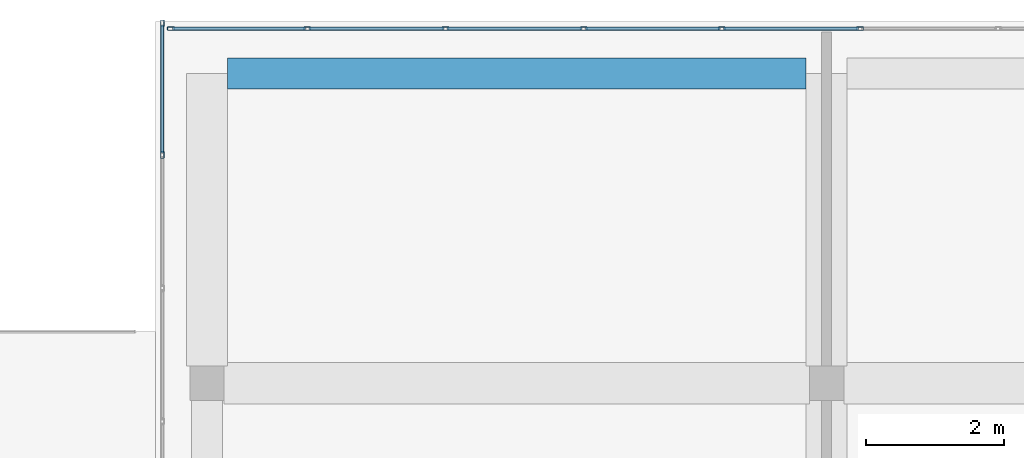
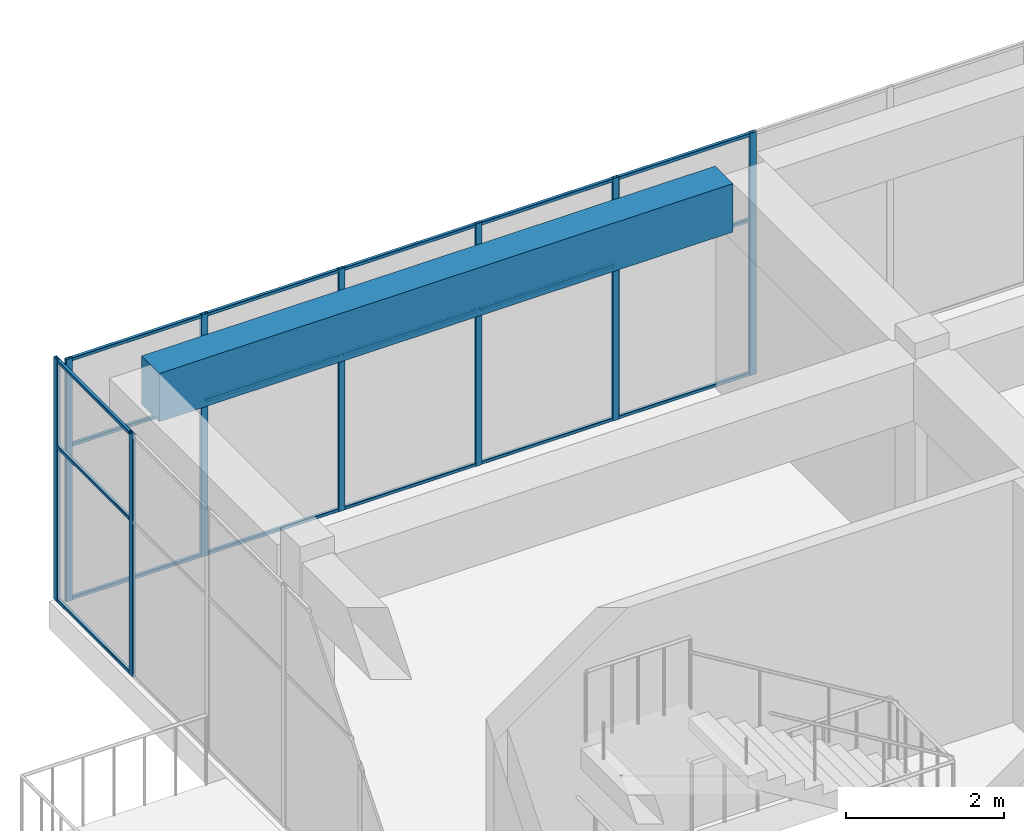
# One storey, part 21 of 34: 26 members, 1 beam, 2 elements without a shape of their own.
"""IFC4 building model written with IfcOpenShell, lengths in metres."""

from ifc_helpers import new_model, si_unit, direction, frame, origin, origin_2d, place, context, subcontext, project, spatial, rectangle, hollow_rectangle, extrude, material, layer, layer_set, material_profile, profile_set, type_object, element, aggregate, save


model = new_model("IFC4")

# Units and contexts
model_context = context("Model", 3, precision=1e-05, world=origin(), true_north=direction((0.0, 1.0)))
body_context = subcontext(model_context, "Body", "Model", "MODEL_VIEW")
ifc_project = project(units=[si_unit("LENGTHUNIT", "METRE"), si_unit("AREAUNIT", "SQUARE_METRE"), si_unit("VOLUMEUNIT", "CUBIC_METRE"), si_unit("PLANEANGLEUNIT", "RADIAN"), si_unit("MASSUNIT", "GRAM", prefix="KILO")], contexts=[model_context])

# Site, building, storey
site_placement = place(None, origin())
site = spatial("IfcSite", under=ifc_project, at=site_placement, CompositionType="ELEMENT")
building_placement = place(site_placement, origin())
building = spatial("IfcBuilding", under=site, at=building_placement, Name="Tuart Plaza Theatre", CompositionType="ELEMENT")
storey_placement = place(building_placement, frame((0.0, 0.0, 53.5)))
storey = spatial("IfcBuildingStorey", under=building, at=storey_placement, Name="L13", CompositionType="ELEMENT", Elevation=53.5)

# Beam
ifc_material_1 = material(Name="Concrete N40 (40 MPa)", Category="concrete")
ifc_material_profile_1 = material_profile(ifc_material_1, rectangle(XDim=0.449951171875, YDim=0.75, at=origin_2d()), Name="BEAM 450x750 Concrete N40 (40 MPa)")
ifc_profile_set_1 = profile_set([ifc_material_profile_1], Name="Concrete N40 (40 MPa)")
beam_type = type_object("IfcBeamType", Name="BEAM 450x750 Concrete N40 (40 MPa)", PredefinedType="BEAM", material=ifc_profile_set_1)
beam_placement = place(storey_placement, frame((114.300048828125, 96.5, 3.375), z_axis=(1.0, 0.0, 0.0), x_axis=(0.0, 1.0, 0.0)))
element("IfcBeam", 1, at=beam_placement, inside=storey, type_object=beam_type, Name="RB326", PredefinedType="BEAM", context=body_context, shape_type="SweptSolid", body=[
    extrude(rectangle(XDim=0.449951171875, YDim=0.75, at=origin_2d()), origin(), (0.0, 0.0, 1.0), 8.39990234375),
])

# Curtain wall, members
ifc_material_2 = material(Name="Aluminium and glass", Category="aluminium")
ifc_layer = layer(ifc_material_2, 0.10009765625)
ifc_layer_set = layer_set([ifc_layer], Name="CURTAIN WALL 2000 module")
curtain_wall_type = type_object("IfcCurtainWallType", Name="CURTAIN WALL 2000 module", PredefinedType="NOTDEFINED", material=ifc_layer_set)
curtain_wall_1_placement = place(storey_placement, origin())
curtain_wall_1 = element("IfcCurtainWall", 2, at=curtain_wall_1_placement, inside=storey, type_object=curtain_wall_type, Name="CW117", PredefinedType="NOTDEFINED")
ifc_material_3 = material(Name="Aluminium 6063-T5", Category="aluminium")
ifc_material_profile_2 = material_profile(ifc_material_3, hollow_rectangle(XDim=0.050048828125, YDim=0.10009765625, WallThickness=0.00390625, InnerFilletRadius=0.00390625, OuterFilletRadius=0.008056640625, at=origin_2d()), Name="RHS 100x50x4")
ifc_profile_set_2 = profile_set([ifc_material_profile_2], Name="Aluminium 6063-T5")
member_type_1 = type_object("IfcMemberType", Name="MULLION RHS 100x50x4", PredefinedType="MULLION", material=ifc_profile_set_2)
member_1_placement = place(storey_placement, frame((123.485595703125, 97.14990234375, 0.0), z_axis=(0.0, 0.0, 1.0), x_axis=(0.0, -1.0, 0.0)))
member_1 = element("IfcMember", 3, at=member_1_placement, type_object=member_type_1, Name="CW117 mullion 10", PredefinedType="MULLION", context=body_context, shape_type="SweptSolid", body=[
    extrude(hollow_rectangle(XDim=0.050048828125, YDim=0.10009765625, WallThickness=0.00390625, InnerFilletRadius=0.00390625, OuterFilletRadius=0.008056640625, at=origin_2d()), origin(), (0.0, 0.0, 1.0), 3.75),
])
member_2_placement = place(storey_placement, frame((121.478515625, 97.14990234375, 0.0), z_axis=(0.0, 0.0, 1.0), x_axis=(0.0, -1.0, 0.0)))
member_2 = element("IfcMember", 4, at=member_2_placement, type_object=member_type_1, Name="CW117 mullion 11", PredefinedType="MULLION", context=body_context, shape_type="SweptSolid", body=[
    extrude(hollow_rectangle(XDim=0.050048828125, YDim=0.10009765625, WallThickness=0.00390625, InnerFilletRadius=0.00390625, OuterFilletRadius=0.008056640625, at=origin_2d()), origin(), (0.0, 0.0, 1.0), 3.75),
])
member_3_placement = place(storey_placement, frame((119.471435546875, 97.14990234375, 0.0), z_axis=(0.0, 0.0, 1.0), x_axis=(0.0, -1.0, 0.0)))
member_3 = element("IfcMember", 5, at=member_3_placement, type_object=member_type_1, Name="CW117 mullion 12", PredefinedType="MULLION", context=body_context, shape_type="SweptSolid", body=[
    extrude(hollow_rectangle(XDim=0.050048828125, YDim=0.10009765625, WallThickness=0.00390625, InnerFilletRadius=0.00390625, OuterFilletRadius=0.008056640625, at=origin_2d()), origin(), (0.0, 0.0, 1.0), 3.75),
])
member_4_placement = place(storey_placement, frame((117.46435546875, 97.14990234375, 0.0), z_axis=(0.0, 0.0, 1.0), x_axis=(0.0, -1.0, 0.0)))
member_4 = element("IfcMember", 6, at=member_4_placement, type_object=member_type_1, Name="CW117 mullion 13", PredefinedType="MULLION", context=body_context, shape_type="SweptSolid", body=[
    extrude(hollow_rectangle(XDim=0.050048828125, YDim=0.10009765625, WallThickness=0.00390625, InnerFilletRadius=0.00390625, OuterFilletRadius=0.008056640625, at=origin_2d()), origin(), (0.0, 0.0, 1.0), 3.75),
])
member_5_placement = place(storey_placement, frame((115.45703125, 97.14990234375, 0.0), z_axis=(0.0, 0.0, 1.0), x_axis=(0.0, -1.0, 0.0)))
member_5 = element("IfcMember", 7, at=member_5_placement, type_object=member_type_1, Name="CW117 mullion 14", PredefinedType="MULLION", context=body_context, shape_type="SweptSolid", body=[
    extrude(hollow_rectangle(XDim=0.050048828125, YDim=0.10009765625, WallThickness=0.00390625, InnerFilletRadius=0.00390625, OuterFilletRadius=0.008056640625, at=origin_2d()), origin(), (0.0, 0.0, 1.0), 3.75),
])
member_6_placement = place(storey_placement, frame((113.47509765625, 97.14990234375, 0.0), z_axis=(0.0, 0.0, 1.0), x_axis=(0.0, -1.0, 0.0)))
member_6 = element("IfcMember", 8, at=member_6_placement, type_object=member_type_1, Name="CW117 mullion 15", PredefinedType="MULLION", context=body_context, shape_type="SweptSolid", body=[
    extrude(hollow_rectangle(XDim=0.050048828125, YDim=0.10009765625, WallThickness=0.00390625, InnerFilletRadius=0.00390625, OuterFilletRadius=0.008056640625, at=origin_2d()), origin(), (0.0, 0.0, 1.0), 3.75),
])

curtain_wall_2_placement = place(storey_placement, origin())
curtain_wall_2 = element("IfcCurtainWall", 9, at=curtain_wall_2_placement, inside=storey, type_object=curtain_wall_type, Name="CW118", PredefinedType="NOTDEFINED")
member_7_placement = place(storey_placement, frame((113.35009765625, 97.22509765625, 0.0), z_axis=(0.0, 0.0, 1.0), x_axis=(1.0, 0.0, 0.0)))
member_7 = element("IfcMember", 10, at=member_7_placement, type_object=member_type_1, Name="CW118 mullion 1", PredefinedType="MULLION", context=body_context, shape_type="SweptSolid", body=[
    extrude(hollow_rectangle(XDim=0.050048828125, YDim=0.10009765625, WallThickness=0.00390625, InnerFilletRadius=0.00390625, OuterFilletRadius=0.008056640625, at=origin_2d()), origin(), (0.0, 0.0, 1.0), 3.75),
])
member_8_placement = place(storey_placement, frame((113.35009765625, 95.31494140625, 0.0), z_axis=(0.0, 0.0, 1.0), x_axis=(1.0, 0.0, 0.0)))
member_8 = element("IfcMember", 11, at=member_8_placement, type_object=member_type_1, Name="CW118 mullion 2", PredefinedType="MULLION", context=body_context, shape_type="SweptSolid", body=[
    extrude(hollow_rectangle(XDim=0.050048828125, YDim=0.10009765625, WallThickness=0.00390625, InnerFilletRadius=0.00390625, OuterFilletRadius=0.008056640625, at=origin_2d()), origin(), (0.0, 0.0, 1.0), 3.75),
])

# Member
ifc_material_4 = material(Name="Aluminium 6063-T5", Category="aluminium")
ifc_material_profile_3 = material_profile(ifc_material_4, hollow_rectangle(XDim=0.050048828125, YDim=0.050048828125, WallThickness=0.00390625, InnerFilletRadius=0.00390625, OuterFilletRadius=0.008056640625, at=origin_2d()), Name="RHS 50x50x4")
ifc_profile_set_3 = profile_set([ifc_material_profile_3], Name="Aluminium 6063-T5")
member_type_2 = type_object("IfcMemberType", Name="TRANSOM RHS 50x50x4", PredefinedType="USERDEFINED", material=ifc_profile_set_3)
member_9_placement = place(storey_placement, frame((123.460693359375, 97.14990234375, 0.02490234375), z_axis=(-1.0, 0.0, 0.0), x_axis=(0.0, -1.0, 0.0)))
member_9 = element("IfcMember", 12, at=member_9_placement, type_object=member_type_2, Name="CW117 transom 10.1", ObjectType="TRANSOM", PredefinedType="USERDEFINED", context=body_context, shape_type="SweptSolid", body=[
    extrude(hollow_rectangle(XDim=0.050048828125, YDim=0.050048828125, WallThickness=0.00390625, InnerFilletRadius=0.00390625, OuterFilletRadius=0.008056640625, at=origin_2d()), origin(), (0.0, 0.0, 1.0), 1.95703125),
])

member_10_placement = place(storey_placement, frame((123.460693359375, 97.14990234375, 2.39990234375), z_axis=(-1.0, 0.0, 0.0), x_axis=(0.0, -1.0, 0.0)))
member_10 = element("IfcMember", 13, at=member_10_placement, type_object=member_type_2, Name="CW117 transom 10.2", ObjectType="TRANSOM", PredefinedType="USERDEFINED", context=body_context, shape_type="SweptSolid", body=[
    extrude(hollow_rectangle(XDim=0.050048828125, YDim=0.050048828125, WallThickness=0.00390625, InnerFilletRadius=0.00390625, OuterFilletRadius=0.008056640625, at=origin_2d()), origin(), (0.0, 0.0, 1.0), 1.95703125),
])

member_11_placement = place(storey_placement, frame((123.460693359375, 97.14990234375, 3.72509765625), z_axis=(-1.0, 0.0, 0.0), x_axis=(0.0, -1.0, 0.0)))
member_11 = element("IfcMember", 14, at=member_11_placement, type_object=member_type_2, Name="CW117 transom 10.3", ObjectType="TRANSOM", PredefinedType="USERDEFINED", context=body_context, shape_type="SweptSolid", body=[
    extrude(hollow_rectangle(XDim=0.050048828125, YDim=0.050048828125, WallThickness=0.00390625, InnerFilletRadius=0.00390625, OuterFilletRadius=0.008056640625, at=origin_2d()), origin(), (0.0, 0.0, 1.0), 1.95703125),
])

member_12_placement = place(storey_placement, frame((121.45361328125, 97.14990234375, 0.02490234375), z_axis=(-1.0, 0.0, 0.0), x_axis=(0.0, -1.0, 0.0)))
member_12 = element("IfcMember", 15, at=member_12_placement, type_object=member_type_2, Name="CW117 transom 11.1", ObjectType="TRANSOM", PredefinedType="USERDEFINED", context=body_context, shape_type="SweptSolid", body=[
    extrude(hollow_rectangle(XDim=0.050048828125, YDim=0.050048828125, WallThickness=0.00390625, InnerFilletRadius=0.00390625, OuterFilletRadius=0.008056640625, at=origin_2d()), origin(), (0.0, 0.0, 1.0), 1.957275390625),
])

member_13_placement = place(storey_placement, frame((121.45361328125, 97.14990234375, 2.39990234375), z_axis=(-1.0, 0.0, 0.0), x_axis=(0.0, -1.0, 0.0)))
member_13 = element("IfcMember", 16, at=member_13_placement, type_object=member_type_2, Name="CW117 transom 11.2", ObjectType="TRANSOM", PredefinedType="USERDEFINED", context=body_context, shape_type="SweptSolid", body=[
    extrude(hollow_rectangle(XDim=0.050048828125, YDim=0.050048828125, WallThickness=0.00390625, InnerFilletRadius=0.00390625, OuterFilletRadius=0.008056640625, at=origin_2d()), origin(), (0.0, 0.0, 1.0), 1.957275390625),
])

member_14_placement = place(storey_placement, frame((121.45361328125, 97.14990234375, 3.72509765625), z_axis=(-1.0, 0.0, 0.0), x_axis=(0.0, -1.0, 0.0)))
member_14 = element("IfcMember", 17, at=member_14_placement, type_object=member_type_2, Name="CW117 transom 11.3", ObjectType="TRANSOM", PredefinedType="USERDEFINED", context=body_context, shape_type="SweptSolid", body=[
    extrude(hollow_rectangle(XDim=0.050048828125, YDim=0.050048828125, WallThickness=0.00390625, InnerFilletRadius=0.00390625, OuterFilletRadius=0.008056640625, at=origin_2d()), origin(), (0.0, 0.0, 1.0), 1.957275390625),
])

member_15_placement = place(storey_placement, frame((119.446533203125, 97.14990234375, 0.02490234375), z_axis=(-1.0, 0.0, 0.0), x_axis=(0.0, -1.0, 0.0)))
member_15 = element("IfcMember", 18, at=member_15_placement, type_object=member_type_2, Name="CW117 transom 12.1", ObjectType="TRANSOM", PredefinedType="USERDEFINED", context=body_context, shape_type="SweptSolid", body=[
    extrude(hollow_rectangle(XDim=0.050048828125, YDim=0.050048828125, WallThickness=0.00390625, InnerFilletRadius=0.00390625, OuterFilletRadius=0.008056640625, at=origin_2d()), origin(), (0.0, 0.0, 1.0), 1.957275390625),
])

member_16_placement = place(storey_placement, frame((119.446533203125, 97.14990234375, 2.39990234375), z_axis=(-1.0, 0.0, 0.0), x_axis=(0.0, -1.0, 0.0)))
member_16 = element("IfcMember", 19, at=member_16_placement, type_object=member_type_2, Name="CW117 transom 12.2", ObjectType="TRANSOM", PredefinedType="USERDEFINED", context=body_context, shape_type="SweptSolid", body=[
    extrude(hollow_rectangle(XDim=0.050048828125, YDim=0.050048828125, WallThickness=0.00390625, InnerFilletRadius=0.00390625, OuterFilletRadius=0.008056640625, at=origin_2d()), origin(), (0.0, 0.0, 1.0), 1.957275390625),
])

member_17_placement = place(storey_placement, frame((119.446533203125, 97.14990234375, 3.72509765625), z_axis=(-1.0, 0.0, 0.0), x_axis=(0.0, -1.0, 0.0)))
member_17 = element("IfcMember", 20, at=member_17_placement, type_object=member_type_2, Name="CW117 transom 12.3", ObjectType="TRANSOM", PredefinedType="USERDEFINED", context=body_context, shape_type="SweptSolid", body=[
    extrude(hollow_rectangle(XDim=0.050048828125, YDim=0.050048828125, WallThickness=0.00390625, InnerFilletRadius=0.00390625, OuterFilletRadius=0.008056640625, at=origin_2d()), origin(), (0.0, 0.0, 1.0), 1.957275390625),
])

member_18_placement = place(storey_placement, frame((117.439208984375, 97.14990234375, 0.02490234375), z_axis=(-1.0, 0.0, 0.0), x_axis=(0.0, -1.0, 0.0)))
member_18 = element("IfcMember", 21, at=member_18_placement, type_object=member_type_2, Name="CW117 transom 13.1", ObjectType="TRANSOM", PredefinedType="USERDEFINED", context=body_context, shape_type="SweptSolid", body=[
    extrude(hollow_rectangle(XDim=0.050048828125, YDim=0.050048828125, WallThickness=0.00390625, InnerFilletRadius=0.00390625, OuterFilletRadius=0.008056640625, at=origin_2d()), origin(), (0.0, 0.0, 1.0), 1.95703125),
])

member_19_placement = place(storey_placement, frame((117.439208984375, 97.14990234375, 2.39990234375), z_axis=(-1.0, 0.0, 0.0), x_axis=(0.0, -1.0, 0.0)))
member_19 = element("IfcMember", 22, at=member_19_placement, type_object=member_type_2, Name="CW117 transom 13.2", ObjectType="TRANSOM", PredefinedType="USERDEFINED", context=body_context, shape_type="SweptSolid", body=[
    extrude(hollow_rectangle(XDim=0.050048828125, YDim=0.050048828125, WallThickness=0.00390625, InnerFilletRadius=0.00390625, OuterFilletRadius=0.008056640625, at=origin_2d()), origin(), (0.0, 0.0, 1.0), 1.95703125),
])

member_20_placement = place(storey_placement, frame((117.439208984375, 97.14990234375, 3.72509765625), z_axis=(-1.0, 0.0, 0.0), x_axis=(0.0, -1.0, 0.0)))
member_20 = element("IfcMember", 23, at=member_20_placement, type_object=member_type_2, Name="CW117 transom 13.3", ObjectType="TRANSOM", PredefinedType="USERDEFINED", context=body_context, shape_type="SweptSolid", body=[
    extrude(hollow_rectangle(XDim=0.050048828125, YDim=0.050048828125, WallThickness=0.00390625, InnerFilletRadius=0.00390625, OuterFilletRadius=0.008056640625, at=origin_2d()), origin(), (0.0, 0.0, 1.0), 1.95703125),
])

member_21_placement = place(storey_placement, frame((115.43212890625, 97.14990234375, 0.02490234375), z_axis=(-1.0, 0.0, 0.0), x_axis=(0.0, -1.0, 0.0)))
member_21 = element("IfcMember", 24, at=member_21_placement, type_object=member_type_2, Name="CW117 transom 14.1", ObjectType="TRANSOM", PredefinedType="USERDEFINED", context=body_context, shape_type="SweptSolid", body=[
    extrude(hollow_rectangle(XDim=0.050048828125, YDim=0.050048828125, WallThickness=0.00390625, InnerFilletRadius=0.00390625, OuterFilletRadius=0.008056640625, at=origin_2d()), origin(), (0.0, 0.0, 1.0), 1.93212890625),
])

member_22_placement = place(storey_placement, frame((115.43212890625, 97.14990234375, 2.39990234375), z_axis=(-1.0, 0.0, 0.0), x_axis=(0.0, -1.0, 0.0)))
member_22 = element("IfcMember", 25, at=member_22_placement, type_object=member_type_2, Name="CW117 transom 14.2", ObjectType="TRANSOM", PredefinedType="USERDEFINED", context=body_context, shape_type="SweptSolid", body=[
    extrude(hollow_rectangle(XDim=0.050048828125, YDim=0.050048828125, WallThickness=0.00390625, InnerFilletRadius=0.00390625, OuterFilletRadius=0.008056640625, at=origin_2d()), origin(), (0.0, 0.0, 1.0), 1.93212890625),
])

member_23_placement = place(storey_placement, frame((115.43212890625, 97.14990234375, 3.72509765625), z_axis=(-1.0, 0.0, 0.0), x_axis=(0.0, -1.0, 0.0)))
member_23 = element("IfcMember", 26, at=member_23_placement, type_object=member_type_2, Name="CW117 transom 14.3", ObjectType="TRANSOM", PredefinedType="USERDEFINED", context=body_context, shape_type="SweptSolid", body=[
    extrude(hollow_rectangle(XDim=0.050048828125, YDim=0.050048828125, WallThickness=0.00390625, InnerFilletRadius=0.00390625, OuterFilletRadius=0.008056640625, at=origin_2d()), origin(), (0.0, 0.0, 1.0), 1.93212890625),
])

aggregate(curtain_wall_1, [member_1, member_2, member_3, member_4, member_5, member_6, member_9, member_10, member_11, member_12, member_13, member_14, member_15, member_16, member_17, member_18, member_19, member_20, member_21, member_22, member_23])

member_24_placement = place(storey_placement, frame((113.35009765625, 97.199951171875, 0.02490234375), z_axis=(0.0, -1.0, 0.0), x_axis=(1.0, 0.0, 0.0)))
member_24 = element("IfcMember", 27, at=member_24_placement, type_object=member_type_2, Name="CW118 transom 1.1", ObjectType="TRANSOM", PredefinedType="USERDEFINED", context=body_context, shape_type="SweptSolid", body=[
    extrude(hollow_rectangle(XDim=0.050048828125, YDim=0.050048828125, WallThickness=0.00390625, InnerFilletRadius=0.00390625, OuterFilletRadius=0.008056640625, at=origin_2d()), origin(), (0.0, 0.0, 1.0), 1.85986328125),
])

member_25_placement = place(storey_placement, frame((113.35009765625, 97.199951171875, 2.39990234375), z_axis=(0.0, -1.0, 0.0), x_axis=(1.0, 0.0, 0.0)))
member_25 = element("IfcMember", 28, at=member_25_placement, type_object=member_type_2, Name="CW118 transom 1.2", ObjectType="TRANSOM", PredefinedType="USERDEFINED", context=body_context, shape_type="SweptSolid", body=[
    extrude(hollow_rectangle(XDim=0.050048828125, YDim=0.050048828125, WallThickness=0.00390625, InnerFilletRadius=0.00390625, OuterFilletRadius=0.008056640625, at=origin_2d()), origin(), (0.0, 0.0, 1.0), 1.85986328125),
])

member_26_placement = place(storey_placement, frame((113.35009765625, 97.199951171875, 3.72509765625), z_axis=(0.0, -1.0, 0.0), x_axis=(1.0, 0.0, 0.0)))
member_26 = element("IfcMember", 29, at=member_26_placement, type_object=member_type_2, Name="CW118 transom 1.3", ObjectType="TRANSOM", PredefinedType="USERDEFINED", context=body_context, shape_type="SweptSolid", body=[
    extrude(hollow_rectangle(XDim=0.050048828125, YDim=0.050048828125, WallThickness=0.00390625, InnerFilletRadius=0.00390625, OuterFilletRadius=0.008056640625, at=origin_2d()), origin(), (0.0, 0.0, 1.0), 1.85986328125),
])

aggregate(curtain_wall_2, [member_7, member_8, member_24, member_25, member_26])

save(model, "model.ifc")
